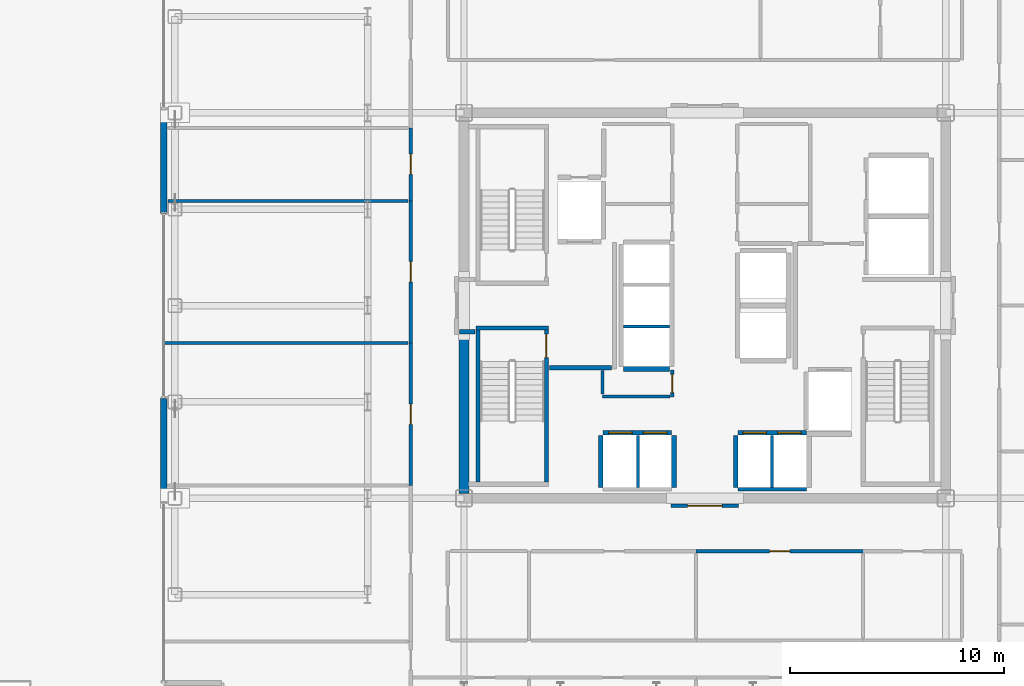
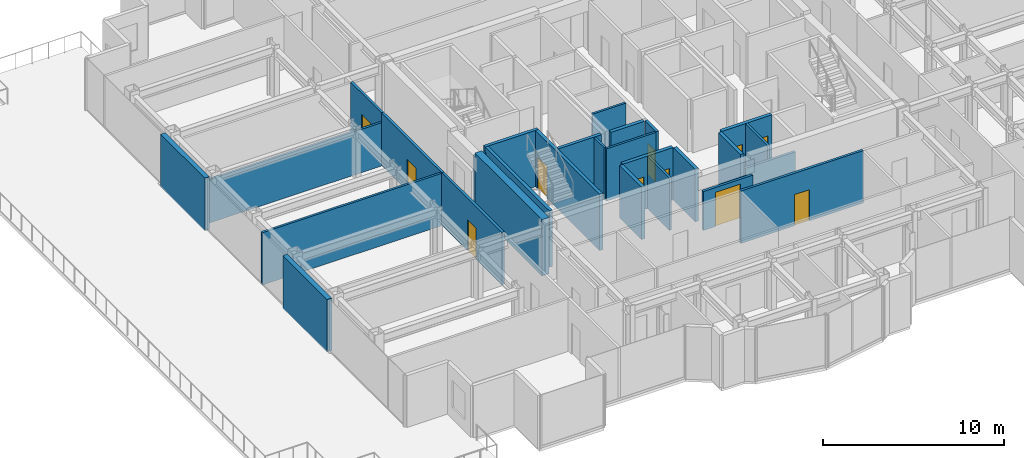
# One storey, part 14 of 21: 28 walls, 11 doors, 11 openings.
"""IFC4 building model written with IfcOpenShell, lengths in metres."""

from ifc_helpers import new_model, si_unit, direction, frame, frame_2d, origin, place, context, subcontext, project, spatial, rectangle, extrude, source, transform, mapped, material, layer, layer_set, type_object, element, fill, save


model = new_model("IFC4")

# Units and contexts
model_context = context("Model", 3, precision=1e-05, world=origin(), true_north=direction((0.0, 1.0)))
body_context = subcontext(model_context, "Body", "Model", "MODEL_VIEW")
ifc_project = project(units=[si_unit("LENGTHUNIT", "METRE"), si_unit("AREAUNIT", "SQUARE_METRE"), si_unit("VOLUMEUNIT", "CUBIC_METRE"), si_unit("PLANEANGLEUNIT", "RADIAN"), si_unit("MASSUNIT", "GRAM", prefix="KILO")], contexts=[model_context])

# Site, building, storey
site_placement = place(None, origin())
site = spatial("IfcSite", under=ifc_project, at=site_placement, CompositionType="ELEMENT")
building_placement = place(site_placement, origin())
building = spatial("IfcBuilding", under=site, at=building_placement, Name="Nefas-Gora Pilgrimage Tower", CompositionType="ELEMENT")
storey_placement = place(building_placement, frame((0.0, 0.0, 206.60009765625)))
storey = spatial("IfcBuildingStorey", under=building, at=storey_placement, Name="L51", CompositionType="ELEMENT", Elevation=206.60009765625)

# Walls
ifc_material_1 = material(Name="Concrete C50/60", Category="concrete")
ifc_layer_1 = layer(ifc_material_1, 0.449951171875)
ifc_layer_set_1 = layer_set([ifc_layer_1], Name="Concrete C50/60")
wall_type_1 = type_object("IfcWallType", Name="SW-CORE-450", PredefinedType="SHEAR", material=ifc_layer_set_1)
shared_shape_1 = source(origin(), body_context, "Body", "SweptSolid", [
    extrude(rectangle(XDim=7.4248046875, YDim=0.449951171875, at=frame_2d((3.71240234375, 0.0))), origin(), (0.0, 0.0, 1.0), 3.7998046875),
])
wall_1_placement = place(storey_placement, frame((-11.25, -8.77490234375, 0.0), z_axis=(0.0, 0.0, 1.0), x_axis=(0.0, 1.0, 0.0)))
element("IfcWall", 1, at=wall_1_placement, inside=storey, type_object=wall_type_1, Name="L51 Core Shear Wall W-South", PredefinedType="SHEAR", context=body_context, shape_type="MappedRepresentation", body=[
    mapped(shared_shape_1, transform((0.0, 0.0, 0.0), x_axis=(1.0, 0.0, 0.0), y_axis=(0.0, 1.0, 0.0), z_axis=(0.0, 0.0, 1.0), scale=1.0)),
])
ifc_material_2 = material(Name="Precast concrete C45/55", Category="concrete")
ifc_layer_2 = layer(ifc_material_2, 0.239990234375)
ifc_layer_set_2 = layer_set([ifc_layer_2], Name="Precast concrete C45/55")
wall_type_2 = type_object("IfcWallType", Name="EW-SERR-240", PredefinedType="SHEAR", material=ifc_layer_set_2)
shared_shape_2 = source(origin(), body_context, "Body", "SweptSolid", [
    extrude(rectangle(XDim=4.8798828125, YDim=0.300048828125, at=frame_2d((2.43994140625, 0.0))), origin(), (0.0, 0.0, 1.0), 3.5498046875),
])
for number, where, z_axis, x_axis, name in (
    (2, (-25.27001953125, -9.18994140625, 0.0), (0.0, 0.0, 1.0), (0.0, 1.0, 0.0), "L51 Braced-Tube Precast Shear Cladding 1"),
    (3, (-25.27001953125, 4.31005859375, 0.0), (0.0, 0.0, 1.0), (0.0, 1.0, 0.0), "L51 Braced-Tube Precast Shear Cladding 2"),
):
    element("IfcWall", number, at=place(storey_placement, frame(where, z_axis=z_axis, x_axis=x_axis)), inside=storey, type_object=wall_type_2, Name=name, PredefinedType="SHEAR", context=body_context, shape_type="MappedRepresentation", body=[
        mapped(shared_shape_2, transform((0.0, 0.0, 0.0), x_axis=(1.0, 0.0, 0.0), y_axis=(0.0, 1.0, 0.0), z_axis=(0.0, 0.0, 1.0), scale=1.0)),
    ])
ifc_material_3 = material(Name="Concrete C45/55", Category="concrete")
ifc_layer_3 = layer(ifc_material_3, 0.199951171875)
ifc_layer_set_3 = layer_set([ifc_layer_3], Name="Concrete C45/55")
wall_type_3 = type_object("IfcWallType", Name="IW-STAIR-200", PredefinedType="SOLIDWALL", material=ifc_layer_set_3)
shared_shape_3 = source(origin(), body_context, "Body", "SweptSolid", [
    extrude(rectangle(XDim=3.39990234375, YDim=0.199951171875, at=frame_2d((1.699951171875, 0.0))), origin(), (0.0, 0.0, 1.0), 3.7998046875),
])
wall_2_placement = place(storey_placement, frame((-10.699951171875, -1.050048828125, 0.0), z_axis=(0.0, 0.0, 1.0), x_axis=(1.0, 0.0, 0.0)))
element("IfcWall", 4, at=wall_2_placement, inside=storey, type_object=wall_type_3, Name="L51 Stairwell Shear Wall ST-03-near", PredefinedType="SOLIDWALL", context=body_context, shape_type="MappedRepresentation", body=[
    mapped(shared_shape_3, transform((0.0, 0.0, 0.0), x_axis=(1.0, 0.0, 0.0), y_axis=(0.0, 1.0, 0.0), z_axis=(0.0, 0.0, 1.0), scale=1.0)),
])
shared_shape_4 = source(origin(), body_context, "Body", "SweptSolid", [
    extrude(rectangle(XDim=7.10009765625, YDim=0.199951171875, at=frame_2d((3.550048828125, 0.0))), origin(), (0.0, 0.0, 1.0), 3.7998046875),
])
wall_3_placement = place(storey_placement, frame((-10.60009765625, -1.14990234375, 0.0), z_axis=(0.0, 0.0, 1.0), x_axis=(0.0, -1.0, 0.0)))
element("IfcWall", 5, at=wall_3_placement, inside=storey, type_object=wall_type_3, Name="L51 Stairwell Shear Wall ST-03-left", PredefinedType="SOLIDWALL", context=body_context, shape_type="MappedRepresentation", body=[
    mapped(shared_shape_4, transform((0.0, 0.0, 0.0), x_axis=(1.0, 0.0, 0.0), y_axis=(0.0, 1.0, 0.0), z_axis=(0.0, 0.0, 1.0), scale=1.0)),
])

# Wall, opening, door
wall_4_placement = place(storey_placement, frame((-7.39990234375, -1.14990234375, 0.0), z_axis=(0.0, 0.0, 1.0), x_axis=(0.0, -1.0, 0.0)))
wall_4 = element("IfcWall", 6, at=wall_4_placement, inside=storey, type_object=wall_type_3, Name="L51 Stairwell Shear Wall ST-03-right", PredefinedType="SOLIDWALL", context=body_context, shape_type="MappedRepresentation", body=[
    mapped(shared_shape_4, transform((0.0, 0.0, 0.0), x_axis=(1.0, 0.0, 0.0), y_axis=(0.0, 1.0, 0.0), z_axis=(0.0, 0.0, 1.0), scale=1.0)),
])
opening_1_placement = place(wall_4_placement, frame((0.179931640625, 0.0, 0.0)))
opening_1 = element("IfcOpeningElement", 7, at=opening_1_placement, cuts=wall_4, Name="Opening ID-ST1", PredefinedType="OPENING", context=body_context, shape_type="SweptSolid", body=[
    extrude(rectangle(XDim=1.10009765625, YDim=2.14990234375, at=frame_2d((0.550048828125, 1.074951171875))), frame((0.0, 0.10986328125, 0.0), z_axis=(0.0, -1.0, 0.0), x_axis=(1.0, 0.0, 0.0)), (0.0, 0.0, 1.0), 0.219970703125),
])
ifc_material_4 = material(Name="Painted galvanised steel fire stair door", Category="steel")
door_type_1 = type_object("IfcDoorType", Name="DR-INT-STAIR-1100", OperationType="NOTDEFINED", PredefinedType="DOOR", material=ifc_material_4)
shared_shape_5 = source(origin(), body_context, "Body", "SweptSolid", [
    extrude(rectangle(XDim=1.10009765625, YDim=2.14990234375, at=frame_2d((0.550048828125, 1.074951171875))), frame((0.0, 0.02490234375, 0.0), z_axis=(0.0, -1.0, 0.0), x_axis=(1.0, 0.0, 0.0)), (0.0, 0.0, 1.0), 0.050048828125),
])
door_1_placement = place(opening_1_placement, origin())
door_1 = element("IfcDoor", 8, at=door_1_placement, inside=storey, type_object=door_type_1, Name="L51 Protected Exit Stair Door ST-03", OperationType="SINGLE_SWING_LEFT", OverallHeight=2.14990234375, OverallWidth=1.10009765625, PredefinedType="DOOR", context=body_context, shape_type="MappedRepresentation", body=[
    mapped(shared_shape_5, transform((0.0, 0.0, 0.0), x_axis=(1.0, 0.0, 0.0), y_axis=(0.0, 1.0, 0.0), z_axis=(0.0, 0.0, 1.0), scale=1.0)),
])
fill(opening_1, door_1)

# Wall, openings, doors
ifc_material_5 = material(Name="Concrete C40/50", Category="concrete")
ifc_layer_4 = layer(ifc_material_5, 0.219970703125)
ifc_layer_set_4 = layer_set([ifc_layer_4], Name="Concrete C40/50")
wall_type_4 = type_object("IfcWallType", Name="IW-SHAFT-220", PredefinedType="SOLIDWALL", material=ifc_layer_set_4)
shared_shape_6 = source(origin(), body_context, "Body", "SweptSolid", [
    extrude(rectangle(XDim=3.199951171875, YDim=0.219970703125, at=frame_2d((1.60009765625, 0.0))), origin(), (0.0, 0.0, 1.0), 3.534912109375),
])
wall_5_placement = place(storey_placement, frame((-1.550048828125, -5.93994140625, 0.0), z_axis=(0.0, 0.0, 1.0), x_axis=(-1.0, 0.0, 0.0)))
wall_5 = element("IfcWall", 9, at=wall_5_placement, inside=storey, type_object=wall_type_4, Name="L51 Hoistway Wall PL2-W-N", PredefinedType="SOLIDWALL", context=body_context, shape_type="MappedRepresentation", body=[
    mapped(shared_shape_6, transform((0.0, 0.0, 0.0), x_axis=(1.0, 0.0, 0.0), y_axis=(0.0, 1.0, 0.0), z_axis=(0.0, 0.0, 1.0), scale=1.0)),
])
opening_2_placement = place(wall_5_placement, frame((1.85009765625, 0.0, 0.0)))
opening_2 = element("IfcOpeningElement", 10, at=opening_2_placement, cuts=wall_5, Name="Opening LD-01", PredefinedType="OPENING", context=body_context, shape_type="SweptSolid", body=[
    extrude(rectangle(XDim=1.10009765625, YDim=2.199951171875, at=frame_2d((0.550048828125, 1.10009765625))), frame((0.0, 0.119873046875, 0.0), z_axis=(0.0, -1.0, 0.0), x_axis=(1.0, 0.0, 0.0)), (0.0, 0.0, 1.0), 0.239990234375),
])
opening_3_placement = place(wall_5_placement, frame((0.22509765625, 0.0, 0.0)))
opening_3 = element("IfcOpeningElement", 11, at=opening_3_placement, cuts=wall_5, Name="Opening LD-01", PredefinedType="OPENING", context=body_context, shape_type="SweptSolid", body=[
    extrude(rectangle(XDim=1.10009765625, YDim=2.199951171875, at=frame_2d((0.550048828125, 1.10009765625))), frame((0.0, 0.119873046875, 0.0), z_axis=(0.0, -1.0, 0.0), x_axis=(1.0, 0.0, 0.0)), (0.0, 0.0, 1.0), 0.239990234375),
])
ifc_material_6 = material(Name="Brushed stainless sliding lift landing door")
door_type_2 = type_object("IfcDoorType", Name="DR-LIFT-PASS-1100", OperationType="DOUBLE_DOOR_SLIDING", PredefinedType="DOOR", material=ifc_material_6)
shared_shape_7 = source(origin(), body_context, "Body", "SweptSolid", [
    extrude(rectangle(XDim=1.10009765625, YDim=2.199951171875, at=frame_2d((0.550048828125, 1.10009765625))), frame((0.0, 0.02490234375, 0.0), z_axis=(0.0, -1.0, 0.0), x_axis=(1.0, 0.0, 0.0)), (0.0, 0.0, 1.0), 0.050048828125),
])
door_2_placement = place(opening_2_placement, origin())
door_2 = element("IfcDoor", 12, at=door_2_placement, inside=storey, type_object=door_type_2, Name="L51 Sliding Lift Landing Door PL2-01", OperationType="DOUBLE_DOOR_SLIDING", OverallHeight=2.199951171875, OverallWidth=1.10009765625, PredefinedType="DOOR", context=body_context, shape_type="MappedRepresentation", body=[
    mapped(shared_shape_7, transform((0.0, 0.0, 0.0), x_axis=(1.0, 0.0, 0.0), y_axis=(0.0, 1.0, 0.0), z_axis=(0.0, 0.0, 1.0), scale=1.0)),
])
fill(opening_2, door_2)
door_3_placement = place(opening_3_placement, origin())
door_3 = element("IfcDoor", 13, at=door_3_placement, inside=storey, type_object=door_type_2, Name="L51 Sliding Lift Landing Door PL2-02", OperationType="DOUBLE_DOOR_SLIDING", OverallHeight=2.199951171875, OverallWidth=1.10009765625, PredefinedType="DOOR", context=body_context, shape_type="MappedRepresentation", body=[
    mapped(shared_shape_7, transform((0.0, 0.0, 0.0), x_axis=(1.0, 0.0, 0.0), y_axis=(0.0, 1.0, 0.0), z_axis=(0.0, 0.0, 1.0), scale=1.0)),
])
fill(opening_3, door_3)

wall_6_placement = place(storey_placement, frame((4.75, -5.93994140625, 0.0), z_axis=(0.0, 0.0, 1.0), x_axis=(-1.0, 0.0, 0.0)))
wall_6 = element("IfcWall", 14, at=wall_6_placement, inside=storey, type_object=wall_type_4, Name="L51 Hoistway Wall PL2-E-N", PredefinedType="SOLIDWALL", context=body_context, shape_type="MappedRepresentation", body=[
    mapped(shared_shape_6, transform((0.0, 0.0, 0.0), x_axis=(1.0, 0.0, 0.0), y_axis=(0.0, 1.0, 0.0), z_axis=(0.0, 0.0, 1.0), scale=1.0)),
])
opening_4_placement = place(wall_6_placement, frame((1.875, 0.0, 0.0)))
opening_4 = element("IfcOpeningElement", 15, at=opening_4_placement, cuts=wall_6, Name="Opening LD-01", PredefinedType="OPENING", context=body_context, shape_type="SweptSolid", body=[
    extrude(rectangle(XDim=1.10009765625, YDim=2.199951171875, at=frame_2d((0.550048828125, 1.10009765625))), frame((0.0, 0.119873046875, 0.0), z_axis=(0.0, -1.0, 0.0), x_axis=(1.0, 0.0, 0.0)), (0.0, 0.0, 1.0), 0.239990234375),
])
opening_5_placement = place(wall_6_placement, frame((0.25, 0.0, 0.0)))
opening_5 = element("IfcOpeningElement", 16, at=opening_5_placement, cuts=wall_6, Name="Opening LD-01", PredefinedType="OPENING", context=body_context, shape_type="SweptSolid", body=[
    extrude(rectangle(XDim=1.10009765625, YDim=2.199951171875, at=frame_2d((0.550048828125, 1.10009765625))), frame((0.0, 0.119873046875, 0.0), z_axis=(0.0, -1.0, 0.0), x_axis=(1.0, 0.0, 0.0)), (0.0, 0.0, 1.0), 0.239990234375),
])
door_4_placement = place(opening_4_placement, origin())
door_4 = element("IfcDoor", 17, at=door_4_placement, inside=storey, type_object=door_type_2, Name="L51 Sliding Lift Landing Door PL2-03", OperationType="DOUBLE_DOOR_SLIDING", OverallHeight=2.199951171875, OverallWidth=1.10009765625, PredefinedType="DOOR", context=body_context, shape_type="MappedRepresentation", body=[
    mapped(shared_shape_7, transform((0.0, 0.0, 0.0), x_axis=(1.0, 0.0, 0.0), y_axis=(0.0, 1.0, 0.0), z_axis=(0.0, 0.0, 1.0), scale=1.0)),
])
fill(opening_4, door_4)
door_5_placement = place(opening_5_placement, origin())
door_5 = element("IfcDoor", 18, at=door_5_placement, inside=storey, type_object=door_type_2, Name="L51 Sliding Lift Landing Door PL2-04", OperationType="DOUBLE_DOOR_SLIDING", OverallHeight=2.199951171875, OverallWidth=1.10009765625, PredefinedType="DOOR", context=body_context, shape_type="MappedRepresentation", body=[
    mapped(shared_shape_7, transform((0.0, 0.0, 0.0), x_axis=(1.0, 0.0, 0.0), y_axis=(0.0, 1.0, 0.0), z_axis=(0.0, 0.0, 1.0), scale=1.0)),
])
fill(opening_5, door_5)

# Walls
shared_shape_8 = source(origin(), body_context, "Body", "SweptSolid", [
    extrude(rectangle(XDim=2.429931640625, YDim=0.219970703125, at=frame_2d((1.21484375, 0.0))), origin(), (0.0, 0.0, 1.0), 3.534912109375),
])
for number, where, z_axis, x_axis, name in (
    (19, (-4.860107421875, -6.06005859375, 0.0), (0.0, 0.0, 1.0), (0.0, -1.0, 0.0), "L51 Hoistway Wall PL2-W-W"),
    (20, (-1.43994140625, -8.489990234375, 0.0), (0.0, 0.0, 1.0), (0.0, 1.0, 0.0), "L51 Hoistway Wall PL2-W-E"),
    (21, (1.43994140625, -6.06005859375, 0.0), (0.0, 0.0, 1.0), (0.0, -1.0, 0.0), "L51 Hoistway Wall PL2-E-W"),
):
    element("IfcWall", number, at=place(storey_placement, frame(where, z_axis=z_axis, x_axis=x_axis)), inside=storey, type_object=wall_type_4, Name=name, PredefinedType="SOLIDWALL", context=body_context, shape_type="MappedRepresentation", body=[
        mapped(shared_shape_8, transform((0.0, 0.0, 0.0), x_axis=(1.0, 0.0, 0.0), y_axis=(0.0, 1.0, 0.0), z_axis=(0.0, 0.0, 1.0), scale=1.0)),
    ])
ifc_material_7 = material(Name="Gypsum twin-stud partition")
ifc_layer_5 = layer(ifc_material_7, 0.139892578125)
ifc_layer_set_5 = layer_set([ifc_layer_5], Name="Gypsum twin-stud partition")
wall_type_5 = type_object("IfcWallType", Name="IW-UNIT-140", PredefinedType="PARTITIONING", material=ifc_layer_set_5)
shared_shape_9 = source(origin(), body_context, "Body", "SweptSolid", [
    extrude(rectangle(XDim=2.429931640625, YDim=0.139892578125, at=frame_2d((1.21484375, 0.0))), origin(), (0.0, 0.0, 1.0), 3.534912109375),
])
for number, where, z_axis, x_axis, name in (
    (22, (-3.125, -8.489990234375, 0.0), (0.0, 0.0, 1.0), (0.0, 1.0, 0.0), "L51 Hoistway Wall PL2-W-DIV"),
    (23, (3.125, -8.489990234375, 0.0), (0.0, 0.0, 1.0), (0.0, 1.0, 0.0), "L51 Hoistway Wall PL2-E-DIV"),
):
    element("IfcWall", number, at=place(storey_placement, frame(where, z_axis=z_axis, x_axis=x_axis)), inside=storey, type_object=wall_type_5, Name=name, PredefinedType="PARTITIONING", context=body_context, shape_type="MappedRepresentation", body=[
        mapped(shared_shape_9, transform((0.0, 0.0, 0.0), x_axis=(1.0, 0.0, 0.0), y_axis=(0.0, 1.0, 0.0), z_axis=(0.0, 0.0, 1.0), scale=1.0)),
    ])
shared_shape_10 = source(origin(), body_context, "Body", "SweptSolid", [
    extrude(rectangle(XDim=2.130126953125, YDim=0.219970703125, at=frame_2d((1.06494140625, 0.0))), origin(), (0.0, 0.0, 1.0), 3.534912109375),
])
wall_7_placement = place(storey_placement, frame((-3.7900390625, -2.9599609375, 0.0), z_axis=(0.0, 0.0, 1.0), x_axis=(1.0, 0.0, 0.0)))
element("IfcWall", 24, at=wall_7_placement, inside=storey, type_object=wall_type_4, Name="L51 Hoistway Wall PL3-01-S", PredefinedType="SOLIDWALL", context=body_context, shape_type="MappedRepresentation", body=[
    mapped(shared_shape_10, transform((0.0, 0.0, 0.0), x_axis=(1.0, 0.0, 0.0), y_axis=(0.0, 1.0, 0.0), z_axis=(0.0, 0.0, 1.0), scale=1.0)),
])
shared_shape_11 = source(origin(), body_context, "Body", "SweptSolid", [
    extrude(rectangle(XDim=2.130126953125, YDim=0.139892578125, at=frame_2d((1.06494140625, 0.0))), origin(), (0.0, 0.0, 1.0), 3.534912109375),
])
wall_8_placement = place(storey_placement, frame((-3.7900390625, -0.97509765625, 0.0), z_axis=(0.0, 0.0, 1.0), x_axis=(1.0, 0.0, 0.0)))
element("IfcWall", 25, at=wall_8_placement, inside=storey, type_object=wall_type_5, Name="L51 Hoistway Wall PL3-01-02-DIV", PredefinedType="PARTITIONING", context=body_context, shape_type="MappedRepresentation", body=[
    mapped(shared_shape_11, transform((0.0, 0.0, 0.0), x_axis=(1.0, 0.0, 0.0), y_axis=(0.0, 1.0, 0.0), z_axis=(0.0, 0.0, 1.0), scale=1.0)),
])
ifc_material_8 = material(Name="Gypsum acoustic stud partition")
ifc_layer_6 = layer(ifc_material_8, 0.159912109375)
ifc_layer_set_6 = layer_set([ifc_layer_6], Name="Gypsum acoustic stud partition")
wall_type_6 = type_object("IfcWallType", Name="IW-CORR-160", PredefinedType="PARTITIONING", material=ifc_layer_set_6)
shared_shape_12 = source(origin(), body_context, "Body", "SweptSolid", [
    extrude(rectangle(XDim=3.199951171875, YDim=0.159912109375, at=frame_2d((1.60009765625, 0.0))), origin(), (0.0, 0.0, 1.0), 2.625),
])
wall_9_placement = place(storey_placement, frame((1.550048828125, -8.580078125, 0.0), z_axis=(0.0, 0.0, 1.0), x_axis=(1.0, 0.0, 0.0)))
element("IfcWall", 26, at=wall_9_placement, inside=storey, type_object=wall_type_6, Name="L51 Hoistway Wall PL2-E-S", PredefinedType="PARTITIONING", context=body_context, shape_type="MappedRepresentation", body=[
    mapped(shared_shape_12, transform((0.0, 0.0, 0.0), x_axis=(1.0, 0.0, 0.0), y_axis=(0.0, 1.0, 0.0), z_axis=(0.0, 0.0, 1.0), scale=1.0)),
])
ifc_material_9 = material(Name="Gypsum fire-rated shaftwall")
ifc_layer_7 = layer(ifc_material_9, 0.199951171875)
ifc_layer_set_7 = layer_set([ifc_layer_7], Name="Gypsum fire-rated shaftwall")
wall_type_7 = type_object("IfcWallType", Name="IW-FFLOB-200", PredefinedType="PARTITIONING", material=ifc_layer_set_7)
shared_shape_13 = source(origin(), body_context, "Body", "SweptSolid", [
    extrude(rectangle(XDim=2.89990234375, YDim=0.199951171875, at=frame_2d((1.449951171875, 0.0))), origin(), (0.0, 0.0, 1.0), 3.534912109375),
])
wall_10_placement = place(storey_placement, frame((-7.260009765625, -2.89990234375, 0.0), z_axis=(0.0, 0.0, 1.0), x_axis=(1.0, 0.0, 0.0)))
element("IfcWall", 27, at=wall_10_placement, inside=storey, type_object=wall_type_7, Name="L51 FF Lobby West South Wall Wall 6", PredefinedType="PARTITIONING", context=body_context, shape_type="MappedRepresentation", body=[
    mapped(shared_shape_13, transform((0.0, 0.0, 0.0), x_axis=(1.0, 0.0, 0.0), y_axis=(0.0, 1.0, 0.0), z_axis=(0.0, 0.0, 1.0), scale=1.0)),
])
shared_shape_14 = source(origin(), body_context, "Body", "SweptSolid", [
    extrude(rectangle(XDim=0.719970703125, YDim=0.199951171875, at=frame_2d((0.35986328125, 0.0))), origin(), (0.0, 0.0, 1.0), 3.534912109375),
])
wall_11_placement = place(storey_placement, frame((-11.4599609375, -1.219970703125, 0.0), z_axis=(0.0, 0.0, 1.0), x_axis=(1.0, 0.0, 0.0)))
element("IfcWall", 28, at=wall_11_placement, inside=storey, type_object=wall_type_7, Name="L51 FF Lobby West Throat S Wall 8", PredefinedType="PARTITIONING", context=body_context, shape_type="MappedRepresentation", body=[
    mapped(shared_shape_14, transform((0.0, 0.0, 0.0), x_axis=(1.0, 0.0, 0.0), y_axis=(0.0, 1.0, 0.0), z_axis=(0.0, 0.0, 1.0), scale=1.0)),
])

# Wall, opening, door
shared_shape_15 = source(origin(), body_context, "Body", "SweptSolid", [
    extrude(rectangle(XDim=1.25, YDim=0.159912109375, at=frame_2d((0.625, 0.0))), origin(), (0.0, 0.0, 1.0), 3.534912109375),
])
wall_12_placement = place(storey_placement, frame((-1.52001953125, -4.260009765625, 0.0), z_axis=(0.0, 0.0, 1.0), x_axis=(0.0, 1.0, 0.0)))
wall_12 = element("IfcWall", 29, at=wall_12_placement, inside=storey, type_object=wall_type_6, Name="L51 Guest Self-Service Laundry Room Wall 26", PredefinedType="PARTITIONING", context=body_context, shape_type="MappedRepresentation", body=[
    mapped(shared_shape_15, transform((0.0, 0.0, 0.0), x_axis=(1.0, 0.0, 0.0), y_axis=(0.0, 1.0, 0.0), z_axis=(0.0, 0.0, 1.0), scale=1.0)),
])
opening_6_placement = place(wall_12_placement, frame((0.199951171875, 0.0, 0.0)))
opening_6 = element("IfcOpeningElement", 30, at=opening_6_placement, cuts=wall_12, Name="Opening ID-BT1", PredefinedType="OPENING", context=body_context, shape_type="SweptSolid", body=[
    extrude(rectangle(XDim=0.85009765625, YDim=2.10009765625, at=frame_2d((0.425048828125, 1.050048828125))), frame((0.0, 0.08984375, 0.0), z_axis=(0.0, -1.0, 0.0), x_axis=(1.0, 0.0, 0.0)), (0.0, 0.0, 1.0), 0.179931640625),
])
ifc_material_10 = material(Name="Moisture-resistant fire-rated timber door", Category="wood")
door_type_3 = type_object("IfcDoorType", Name="DR-INT-BATH-850", OperationType="NOTDEFINED", PredefinedType="DOOR", material=ifc_material_10)
shared_shape_16 = source(origin(), body_context, "Body", "SweptSolid", [
    extrude(rectangle(XDim=0.85009765625, YDim=2.10009765625, at=frame_2d((0.425048828125, 1.050048828125))), frame((0.0, 0.02490234375, 0.0), z_axis=(0.0, -1.0, 0.0), x_axis=(1.0, 0.0, 0.0)), (0.0, 0.0, 1.0), 0.050048828125),
])
door_6_placement = place(opening_6_placement, origin())
door_6 = element("IfcDoor", 31, at=door_6_placement, inside=storey, type_object=door_type_3, Name="L51 Guest Self-Service Laundry Room Door 11", OperationType="SINGLE_SWING_LEFT", OverallHeight=2.10009765625, OverallWidth=0.85009765625, PredefinedType="DOOR", context=body_context, shape_type="MappedRepresentation", body=[
    mapped(shared_shape_16, transform((0.0, 0.0, 0.0), x_axis=(1.0, 0.0, 0.0), y_axis=(0.0, 1.0, 0.0), z_axis=(0.0, 0.0, 1.0), scale=1.0)),
])
fill(opening_6, door_6)

# Wall
shared_shape_17 = source(origin(), body_context, "Body", "SweptSolid", [
    extrude(rectangle(XDim=3.150146484375, YDim=0.139892578125, at=frame_2d((1.5751953125, 0.0))), origin(), (0.0, 0.0, 1.0), 3.534912109375),
])
wall_13_placement = place(storey_placement, frame((-4.7900390625, -4.25, 0.0), z_axis=(0.0, 0.0, 1.0), x_axis=(1.0, 0.0, 0.0)))
element("IfcWall", 32, at=wall_13_placement, inside=storey, type_object=wall_type_5, Name="L51 Guest Self-Service Laundry Room Partition Wall 27", PredefinedType="PARTITIONING", context=body_context, shape_type="MappedRepresentation", body=[
    mapped(shared_shape_17, transform((0.0, 0.0, 0.0), x_axis=(1.0, 0.0, 0.0), y_axis=(0.0, 1.0, 0.0), z_axis=(0.0, 0.0, 1.0), scale=1.0)),
])

# Wall, opening, door
shared_shape_18 = source(origin(), body_context, "Body", "SweptSolid", [
    extrude(rectangle(XDim=3.409912109375, YDim=0.159912109375, at=frame_2d((1.705078125, 0.0))), origin(), (0.0, 0.0, 1.0), 3.534912109375),
])
wall_14_placement = place(storey_placement, frame((-13.739990234375, 4.89501953125, 0.0), z_axis=(0.0, 0.0, 1.0), x_axis=(0.0, 1.0, 0.0)))
wall_14 = element("IfcWall", 33, at=wall_14_placement, inside=storey, type_object=wall_type_6, Name="L51 Pastoral Chaplains Counselling Office Partition Wall 40", PredefinedType="PARTITIONING", context=body_context, shape_type="MappedRepresentation", body=[
    mapped(shared_shape_18, transform((0.0, 0.0, 0.0), x_axis=(1.0, 0.0, 0.0), y_axis=(0.0, 1.0, 0.0), z_axis=(0.0, 0.0, 1.0), scale=1.0)),
])
opening_7_placement = place(wall_14_placement, frame((1.22998046875, 0.0, 0.0)))
opening_7 = element("IfcOpeningElement", 34, at=opening_7_placement, cuts=wall_14, Name="Opening ID-GR1", PredefinedType="OPENING", context=body_context, shape_type="SweptSolid", body=[
    extrude(rectangle(XDim=0.949951171875, YDim=2.10009765625, at=frame_2d((0.47509765625, 1.050048828125))), frame((0.0, 0.08984375, 0.0), z_axis=(0.0, -1.0, 0.0), x_axis=(1.0, 0.0, 0.0)), (0.0, 0.0, 1.0), 0.179931640625),
])
ifc_material_11 = material(Name="Solid core oak fire-rated guest entrance door")
door_type_4 = type_object("IfcDoorType", Name="DR-INT-GUEST-950", OperationType="NOTDEFINED", PredefinedType="DOOR", material=ifc_material_11)
shared_shape_19 = source(origin(), body_context, "Body", "SweptSolid", [
    extrude(rectangle(XDim=0.949951171875, YDim=2.10009765625, at=frame_2d((0.47509765625, 1.050048828125))), frame((0.0, 0.02490234375, 0.0), z_axis=(0.0, -1.0, 0.0), x_axis=(1.0, 0.0, 0.0)), (0.0, 0.0, 1.0), 0.050048828125),
])
door_7_placement = place(opening_7_placement, origin())
door_7 = element("IfcDoor", 35, at=door_7_placement, inside=storey, type_object=door_type_4, Name="L51 Pastoral Chaplains Counselling Office Door 17", OperationType="SINGLE_SWING_LEFT", OverallHeight=2.10009765625, OverallWidth=0.949951171875, PredefinedType="DOOR", context=body_context, shape_type="MappedRepresentation", body=[
    mapped(shared_shape_19, transform((0.0, 0.0, 0.0), x_axis=(1.0, 0.0, 0.0), y_axis=(0.0, 1.0, 0.0), z_axis=(0.0, 0.0, 1.0), scale=1.0)),
])
fill(opening_7, door_7)

# Walls
shared_shape_20 = source(origin(), body_context, "Body", "SweptSolid", [
    extrude(rectangle(XDim=1.099853515625, YDim=0.139892578125, at=frame_2d((0.5498046875, 0.0))), origin(), (0.0, 0.0, 1.0), 3.534912109375),
])
wall_15_placement = place(storey_placement, frame((-4.780029296875, -4.139892578125, 0.0), z_axis=(0.0, 0.0, 1.0), x_axis=(0.0, 1.0, 0.0)))
element("IfcWall", 36, at=wall_15_placement, inside=storey, type_object=wall_type_5, Name="L51 Guest Self-Service Laundry Room Partition Wall 28", PredefinedType="PARTITIONING", context=body_context, shape_type="MappedRepresentation", body=[
    mapped(shared_shape_20, transform((0.0, 0.0, 0.0), x_axis=(1.0, 0.0, 0.0), y_axis=(0.0, 1.0, 0.0), z_axis=(0.0, 0.0, 1.0), scale=1.0)),
])
shared_shape_21 = source(origin(), body_context, "Body", "SweptSolid", [
    extrude(rectangle(XDim=11.429931640625, YDim=0.139892578125, at=frame_2d((5.71484375, 0.0))), origin(), (0.0, 0.0, 1.0), 3.534912109375),
])
wall_16_placement = place(storey_placement, frame((-25.2900390625, -1.739990234375, 0.0), z_axis=(0.0, 0.0, 1.0), x_axis=(1.0, 0.0, 0.0)))
element("IfcWall", 37, at=wall_16_placement, inside=storey, type_object=wall_type_5, Name="L51 Pilgrim Tea and Beverage Pantry Partition Wall 38", PredefinedType="PARTITIONING", context=body_context, shape_type="MappedRepresentation", body=[
    mapped(shared_shape_21, transform((0.0, 0.0, 0.0), x_axis=(1.0, 0.0, 0.0), y_axis=(0.0, 1.0, 0.0), z_axis=(0.0, 0.0, 1.0), scale=1.0)),
])

# Wall, opening, door
shared_shape_22 = source(origin(), body_context, "Body", "SweptSolid", [
    extrude(rectangle(XDim=3.16015625, YDim=0.159912109375, at=frame_2d((1.580078125, 0.0))), origin(), (0.0, 0.0, 1.0), 2.625),
])
wall_17_placement = place(storey_placement, frame((-1.580078125, -9.35009765625, 0.0), z_axis=(0.0, 0.0, 1.0), x_axis=(1.0, 0.0, 0.0)))
wall_17 = element("IfcWall", 38, at=wall_17_placement, inside=storey, type_object=wall_type_6, Name="L51 Central Lift Lobby South Portal Wall 16", PredefinedType="PARTITIONING", context=body_context, shape_type="MappedRepresentation", body=[
    mapped(shared_shape_22, transform((0.0, 0.0, 0.0), x_axis=(1.0, 0.0, 0.0), y_axis=(0.0, 1.0, 0.0), z_axis=(0.0, 0.0, 1.0), scale=1.0)),
])
opening_8_placement = place(wall_17_placement, frame((0.780029296875, 0.0, 0.0)))
opening_8 = element("IfcOpeningElement", 39, at=opening_8_placement, cuts=wall_17, Name="Opening ID-HL1", PredefinedType="OPENING", context=body_context, shape_type="SweptSolid", body=[
    extrude(rectangle(XDim=1.60009765625, YDim=2.300048828125, at=frame_2d((0.800048828125, 1.14990234375))), frame((0.0, 0.08984375, 0.0), z_axis=(0.0, -1.0, 0.0), x_axis=(1.0, 0.0, 0.0)), (0.0, 0.0, 1.0), 0.179931640625),
])
ifc_material_12 = material(Name="Double acoustic timber assembly hall door", Category="wood")
door_type_5 = type_object("IfcDoorType", Name="DR-INT-HALL-1600", OperationType="DOUBLE_DOOR_SINGLE_SWING", PredefinedType="DOOR", material=ifc_material_12)
shared_shape_23 = source(origin(), body_context, "Body", "SweptSolid", [
    extrude(rectangle(XDim=1.60009765625, YDim=2.300048828125, at=frame_2d((0.800048828125, 1.14990234375))), frame((0.0, 0.02490234375, 0.0), z_axis=(0.0, -1.0, 0.0), x_axis=(1.0, 0.0, 0.0)), (0.0, 0.0, 1.0), 0.050048828125),
])
door_8_placement = place(opening_8_placement, origin())
door_8 = element("IfcDoor", 40, at=door_8_placement, inside=storey, type_object=door_type_5, Name="L51 Central Lift Lobby South Portal Door 6", OperationType="DOUBLE_DOOR_SINGLE_SWING", OverallHeight=2.300048828125, OverallWidth=1.60009765625, PredefinedType="DOOR", context=body_context, shape_type="MappedRepresentation", body=[
    mapped(shared_shape_23, transform((0.0, 0.0, 0.0), x_axis=(1.0, 0.0, 0.0), y_axis=(0.0, 1.0, 0.0), z_axis=(0.0, 0.0, 1.0), scale=1.0)),
])
fill(opening_8, door_8)

shared_shape_24 = source(origin(), body_context, "Body", "SweptSolid", [
    extrude(rectangle(XDim=6.655029296875, YDim=0.159912109375, at=frame_2d((3.32763671875, 0.0))), origin(), (0.0, 0.0, 1.0), 3.534912109375),
])
wall_18_placement = place(storey_placement, frame((-13.739990234375, -1.75, 0.0), z_axis=(0.0, 0.0, 1.0), x_axis=(0.0, 1.0, 0.0)))
wall_18 = element("IfcWall", 41, at=wall_18_placement, inside=storey, type_object=wall_type_6, Name="L51 Pilgrim Tea and Beverage Pantry Partition Wall 36", PredefinedType="PARTITIONING", context=body_context, shape_type="MappedRepresentation", body=[
    mapped(shared_shape_24, transform((0.0, 0.0, 0.0), x_axis=(1.0, 0.0, 0.0), y_axis=(0.0, 1.0, 0.0), z_axis=(0.0, 0.0, 1.0), scale=1.0)),
])
opening_9_placement = place(wall_18_placement, frame((2.8525390625, 0.0, 0.0)))
opening_9 = element("IfcOpeningElement", 42, at=opening_9_placement, cuts=wall_18, Name="Opening ID-GR1", PredefinedType="OPENING", context=body_context, shape_type="SweptSolid", body=[
    extrude(rectangle(XDim=0.949951171875, YDim=2.10009765625, at=frame_2d((0.47509765625, 1.050048828125))), frame((0.0, 0.08984375, 0.0), z_axis=(0.0, -1.0, 0.0), x_axis=(1.0, 0.0, 0.0)), (0.0, 0.0, 1.0), 0.179931640625),
])
door_9_placement = place(opening_9_placement, origin())
door_9 = element("IfcDoor", 43, at=door_9_placement, inside=storey, type_object=door_type_4, Name="L51 Pilgrim Tea and Beverage Pantry Door 15", OperationType="SINGLE_SWING_LEFT", OverallHeight=2.10009765625, OverallWidth=0.949951171875, PredefinedType="DOOR", context=body_context, shape_type="MappedRepresentation", body=[
    mapped(shared_shape_19, transform((0.0, 0.0, 0.0), x_axis=(1.0, 0.0, 0.0), y_axis=(0.0, 1.0, 0.0), z_axis=(0.0, 0.0, 1.0), scale=1.0)),
])
fill(opening_9, door_9)

wall_19_placement = place(storey_placement, frame((-13.739990234375, -8.405029296875, 0.0), z_axis=(0.0, 0.0, 1.0), x_axis=(0.0, 1.0, 0.0)))
wall_19 = element("IfcWall", 44, at=wall_19_placement, inside=storey, type_object=wall_type_6, Name="L51 Pilgrim Tea and Beverage Pantry Partition Wall 39", PredefinedType="PARTITIONING", context=body_context, shape_type="MappedRepresentation", body=[
    mapped(shared_shape_24, transform((0.0, 0.0, 0.0), x_axis=(1.0, 0.0, 0.0), y_axis=(0.0, 1.0, 0.0), z_axis=(0.0, 0.0, 1.0), scale=1.0)),
])
opening_10_placement = place(wall_19_placement, frame((2.8525390625, 0.0, 0.0)))
opening_10 = element("IfcOpeningElement", 45, at=opening_10_placement, cuts=wall_19, Name="Opening ID-GR1", PredefinedType="OPENING", context=body_context, shape_type="SweptSolid", body=[
    extrude(rectangle(XDim=0.949951171875, YDim=2.10009765625, at=frame_2d((0.47509765625, 1.050048828125))), frame((0.0, 0.08984375, 0.0), z_axis=(0.0, -1.0, 0.0), x_axis=(1.0, 0.0, 0.0)), (0.0, 0.0, 1.0), 0.179931640625),
])
door_10_placement = place(opening_10_placement, origin())
door_10 = element("IfcDoor", 46, at=door_10_placement, inside=storey, type_object=door_type_4, Name="L51 Pilgrim Tea and Beverage Pantry Door 16", OperationType="SINGLE_SWING_RIGHT", OverallHeight=2.10009765625, OverallWidth=0.949951171875, PredefinedType="DOOR", context=body_context, shape_type="MappedRepresentation", body=[
    mapped(shared_shape_19, transform((0.0, 0.0, 0.0), x_axis=(1.0, 0.0, 0.0), y_axis=(0.0, 1.0, 0.0), z_axis=(0.0, 0.0, 1.0), scale=1.0)),
])
fill(opening_10, door_10)

# Wall
shared_shape_25 = source(origin(), body_context, "Body", "SweptSolid", [
    extrude(rectangle(XDim=11.219970703125, YDim=0.139892578125, at=frame_2d((5.60986328125, 0.0))), origin(), (0.0, 0.0, 1.0), 2.9248046875),
])
wall_20_placement = place(storey_placement, frame((-25.080078125, 4.89501953125, 0.0), z_axis=(0.0, 0.0, 1.0), x_axis=(1.0, 0.0, 0.0)))
element("IfcWall", 47, at=wall_20_placement, inside=storey, type_object=wall_type_5, Name="L51 Pilgrim Tea and Beverage Pantry Partition Wall 37", PredefinedType="PARTITIONING", context=body_context, shape_type="MappedRepresentation", body=[
    mapped(shared_shape_25, transform((0.0, 0.0, 0.0), x_axis=(1.0, 0.0, 0.0), y_axis=(0.0, 1.0, 0.0), z_axis=(0.0, 0.0, 1.0), scale=1.0)),
])

# Wall, opening, door
shared_shape_26 = source(origin(), body_context, "Body", "SweptSolid", [
    extrude(rectangle(XDim=7.81005859375, YDim=0.159912109375, at=frame_2d((3.905029296875, 0.0))), origin(), (0.0, 0.0, 1.0), 3.534912109375),
])
wall_21_placement = place(storey_placement, frame((-0.405029296875, -11.469970703125, 0.0), z_axis=(0.0, 0.0, 1.0), x_axis=(1.0, 0.0, 0.0)))
wall_21 = element("IfcWall", 48, at=wall_21_placement, inside=storey, type_object=wall_type_6, Name="L51 Pilgrim Contemplative Lounge Partition Wall 85", PredefinedType="PARTITIONING", context=body_context, shape_type="MappedRepresentation", body=[
    mapped(shared_shape_26, transform((0.0, 0.0, 0.0), x_axis=(1.0, 0.0, 0.0), y_axis=(0.0, 1.0, 0.0), z_axis=(0.0, 0.0, 1.0), scale=1.0)),
])
opening_11_placement = place(wall_21_placement, frame((3.429931640625, 0.0, 0.0)))
opening_11 = element("IfcOpeningElement", 49, at=opening_11_placement, cuts=wall_21, Name="Opening ID-GR1", PredefinedType="OPENING", context=body_context, shape_type="SweptSolid", body=[
    extrude(rectangle(XDim=0.949951171875, YDim=2.10009765625, at=frame_2d((0.47509765625, 1.050048828125))), frame((0.0, 0.08984375, 0.0), z_axis=(0.0, -1.0, 0.0), x_axis=(1.0, 0.0, 0.0)), (0.0, 0.0, 1.0), 0.179931640625),
])
door_11_placement = place(opening_11_placement, origin())
door_11 = element("IfcDoor", 50, at=door_11_placement, inside=storey, type_object=door_type_4, Name="L51 Pilgrim Contemplative Lounge Door 38", OperationType="SINGLE_SWING_RIGHT", OverallHeight=2.10009765625, OverallWidth=0.949951171875, PredefinedType="DOOR", context=body_context, shape_type="MappedRepresentation", body=[
    mapped(shared_shape_19, transform((0.0, 0.0, 0.0), x_axis=(1.0, 0.0, 0.0), y_axis=(0.0, 1.0, 0.0), z_axis=(0.0, 0.0, 1.0), scale=1.0)),
])
fill(opening_11, door_11)

save(model, "model.ifc")
